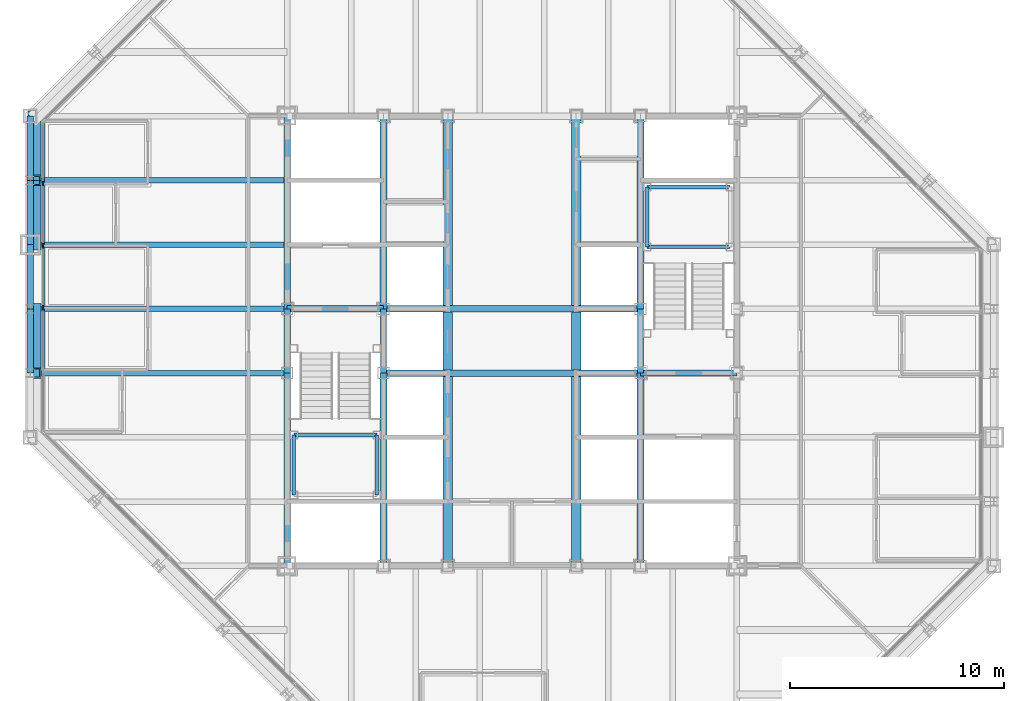
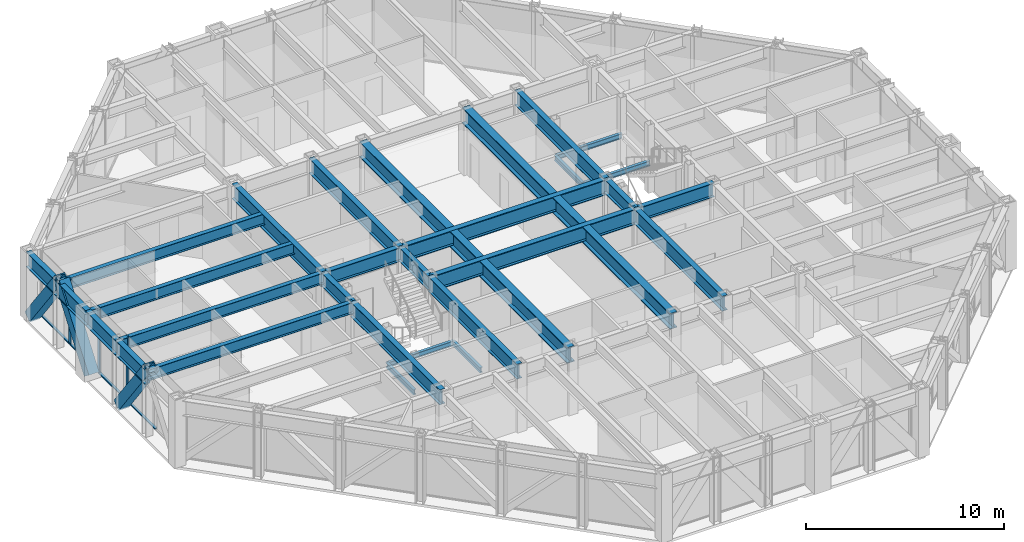
# One storey, part 6 of 16: 33 beams, 10 members, 1 element without a shape of its own.
"""IFC4 building model written with IfcOpenShell, lengths in metres."""

from ifc_helpers import new_model, si_unit, direction, frame, origin, origin_2d, place, context, subcontext, project, spatial, rectangle, hollow_rectangle, i_section, extrude, material, layer, layer_set, material_profile, profile_set, type_object, element, aggregate, save


model = new_model("IFC4")

# Units and contexts
model_context = context("Model", 3, precision=1e-05, world=origin(), true_north=direction((0.0, 1.0)))
body_context = subcontext(model_context, "Body", "Model", "MODEL_VIEW")
ifc_project = project(units=[si_unit("LENGTHUNIT", "METRE"), si_unit("AREAUNIT", "SQUARE_METRE"), si_unit("VOLUMEUNIT", "CUBIC_METRE"), si_unit("PLANEANGLEUNIT", "RADIAN"), si_unit("MASSUNIT", "GRAM", prefix="KILO")], contexts=[model_context])

# Site, building, storey
site_placement = place(None, origin())
site = spatial("IfcSite", under=ifc_project, at=site_placement, CompositionType="ELEMENT")
building_placement = place(site_placement, origin())
building = spatial("IfcBuilding", under=site, at=building_placement, Name="Chuquiago Exchange Tower", CompositionType="ELEMENT")
storey_placement = place(building_placement, frame((0.0, 0.0, 218.10009765625)))
storey = spatial("IfcBuildingStorey", under=building, at=storey_placement, Name="L48", CompositionType="ELEMENT", Elevation=218.10009765625)

# Beams
ifc_material_1 = material(Name="Steel ASTM A992", Category="steel")
ifc_material_profile_1 = material_profile(ifc_material_1, i_section(OverallWidth=0.25390625, OverallDepth=0.683349609375, WebThickness=0.012451171875, FlangeThickness=0.018798828125, at=origin_2d()), Name="W27X94")
ifc_profile_set_1 = profile_set([ifc_material_profile_1], Name="Steel ASTM A992")
beam_type_1 = type_object("IfcBeamType", Name="B1 W27X94", PredefinedType="BEAM", material=ifc_profile_set_1)
for number, where, z_axis, x_axis, name in (
    (1, (12.0, 21.0, 3.6982421875), (-1.0, 0.0, 0.0), (0.0, -1.0, 0.0), "FB-L49-infill-12_21--0_21-0"),
    (2, (12.0, 24.0, 3.6982421875), (-1.0, 0.0, 0.0), (0.0, -1.0, 0.0), "FB-L49-infill-12_24--0_24-0"),
    (3, (12.0, 27.0, 3.6982421875), (-1.0, 0.0, 0.0), (0.0, -1.0, 0.0), "FB-L49-infill-12_27--0_27-0"),
    (4, (12.0, 30.0, 3.6982421875), (-1.0, 0.0, 0.0), (0.0, -1.0, 0.0), "FB-L49-infill-12_30--0_30-0"),
):
    element("IfcBeam", number, at=place(storey_placement, frame(where, z_axis=z_axis, x_axis=x_axis)), inside=storey, type_object=beam_type_1, Name=name, PredefinedType="BEAM", context=body_context, shape_type="SweptSolid", body=[
        extrude(i_section(OverallWidth=0.25390625, OverallDepth=0.683349609375, WebThickness=0.012451171875, FlangeThickness=0.018798828125, at=origin_2d()), origin(), (0.0, 0.0, 1.0), 12.0),
    ])
ifc_material_2 = material(Name="Steel ASTM A992", Category="steel")
ifc_material_profile_2 = material_profile(ifc_material_2, i_section(OverallWidth=0.307373046875, OverallDepth=0.927001953125, WebThickness=0.01953125, FlangeThickness=0.031982421875, at=origin_2d()), Name="W36X194")
ifc_profile_set_2 = profile_set([ifc_material_profile_2], Name="Steel ASTM A992")
beam_type_2 = type_object("IfcBeamType", Name="B10 W36X194", PredefinedType="BEAM", material=ifc_profile_set_2)
for number, where, z_axis, x_axis, name in (
    (5, (12.0, 12.0, 3.576416015625), (0.0, 1.0, 0.0), (-1.0, 0.0, 0.0), "CB-L49-12_12-12_21"),
    (6, (12.0, 24.0, 3.576416015625), (0.0, 1.0, 0.0), (-1.0, 0.0, 0.0), "CB-L49-12_24-12_33"),
    (7, (16.5, 12.0, 3.576416015625), (0.0, 1.0, 0.0), (-1.0, 0.0, 0.0), "CB-L49-16.5_12-16.5_21"),
    (8, (16.5, 24.0, 3.576416015625), (0.0, 1.0, 0.0), (-1.0, 0.0, 0.0), "CB-L49-16.5_24-16.5_33"),
    (9, (28.5, 12.0, 3.576416015625), (0.0, 1.0, 0.0), (-1.0, 0.0, 0.0), "CB-L49-28.5_12-28.5_21"),
    (10, (28.5, 24.0, 3.576416015625), (0.0, 1.0, 0.0), (-1.0, 0.0, 0.0), "CB-L49-28.5_24-28.5_33"),
):
    element("IfcBeam", number, at=place(storey_placement, frame(where, z_axis=z_axis, x_axis=x_axis)), inside=storey, type_object=beam_type_2, Name=name, PredefinedType="BEAM", context=body_context, shape_type="SweptSolid", body=[
        extrude(i_section(OverallWidth=0.307373046875, OverallDepth=0.927001953125, WebThickness=0.01953125, FlangeThickness=0.031982421875, at=origin_2d()), origin(), (0.0, 0.0, 1.0), 9.0),
    ])
ifc_material_3 = material(Name="Steel ASTM A992", Category="steel")
ifc_material_profile_3 = material_profile(ifc_material_3, i_section(OverallWidth=0.309814453125, OverallDepth=0.949951171875, WebThickness=0.0244140625, FlangeThickness=0.0439453125, at=origin_2d()), Name="W36X256")
ifc_profile_set_3 = profile_set([ifc_material_profile_3], Name="Steel ASTM A992")
beam_type_3 = type_object("IfcBeamType", Name="B11 W36X256", PredefinedType="BEAM", material=ifc_profile_set_3)
for number, where, z_axis, x_axis, name in (
    (11, (16.5, 21.0, 3.56494140625), (1.0, 0.0, 0.0), (0.0, 1.0, 0.0), "CB-L49-16.5_21-28.5_21"),
    (12, (16.5, 24.0, 3.56494140625), (1.0, 0.0, 0.0), (0.0, 1.0, 0.0), "CB-L49-16.5_24-28.5_24"),
):
    element("IfcBeam", number, at=place(storey_placement, frame(where, z_axis=z_axis, x_axis=x_axis)), inside=storey, type_object=beam_type_3, Name=name, PredefinedType="BEAM", context=body_context, shape_type="SweptSolid", body=[
        extrude(i_section(OverallWidth=0.309814453125, OverallDepth=0.949951171875, WebThickness=0.0244140625, FlangeThickness=0.0439453125, at=origin_2d()), origin(), (0.0, 0.0, 1.0), 12.0),
    ])
ifc_material_4 = material(Name="Steel ASTM A992", Category="steel")
ifc_material_profile_4 = material_profile(ifc_material_4, i_section(OverallWidth=0.4267578125, OverallDepth=0.975341796875, WebThickness=0.031005859375, FlangeThickness=0.055908203125, at=origin_2d()), Name="W36X395")
ifc_profile_set_4 = profile_set([ifc_material_profile_4], Name="Steel ASTM A992")
beam_type_4 = type_object("IfcBeamType", Name="B12 W36X395", PredefinedType="BEAM", material=ifc_profile_set_4)
beam_1_placement = place(storey_placement, frame((19.5, 12.0, 3.55224609375), z_axis=(0.0, 1.0, 0.0), x_axis=(-1.0, 0.0, 0.0)))
element("IfcBeam", 13, at=beam_1_placement, inside=storey, type_object=beam_type_4, Name="CB-L49-19.5_12-19.5_20.8451", PredefinedType="BEAM", context=body_context, shape_type="SweptSolid", body=[
    extrude(i_section(OverallWidth=0.4267578125, OverallDepth=0.975341796875, WebThickness=0.031005859375, FlangeThickness=0.055908203125, at=origin_2d()), origin(), (0.0, 0.0, 1.0), 8.84521484375),
])
beam_2_placement = place(storey_placement, frame((19.5, 21.15478515625, 3.55224609375), z_axis=(0.0, 1.0, 0.0), x_axis=(-1.0, 0.0, 0.0)))
element("IfcBeam", 14, at=beam_2_placement, inside=storey, type_object=beam_type_4, Name="CB-L49-19.5_21.1549-19.5_23.8451", PredefinedType="BEAM", context=body_context, shape_type="SweptSolid", body=[
    extrude(i_section(OverallWidth=0.4267578125, OverallDepth=0.975341796875, WebThickness=0.031005859375, FlangeThickness=0.055908203125, at=origin_2d()), origin(), (0.0, 0.0, 1.0), 2.6904296875),
])
for number, where, z_axis, x_axis, name in (
    (15, (19.5, 24.15478515625, 3.55224609375), (0.0, 1.0, 0.0), (-1.0, 0.0, 0.0), "CB-L49-19.5_24.1549-19.5_33"),
    (16, (25.5, 12.0, 3.55224609375), (0.0, 1.0, 0.0), (-1.0, 0.0, 0.0), "CB-L49-25.5_12-25.5_20.8451"),
):
    element("IfcBeam", number, at=place(storey_placement, frame(where, z_axis=z_axis, x_axis=x_axis)), inside=storey, type_object=beam_type_4, Name=name, PredefinedType="BEAM", context=body_context, shape_type="SweptSolid", body=[
        extrude(i_section(OverallWidth=0.4267578125, OverallDepth=0.975341796875, WebThickness=0.031005859375, FlangeThickness=0.055908203125, at=origin_2d()), origin(), (0.0, 0.0, 1.0), 8.84521484375),
    ])
beam_3_placement = place(storey_placement, frame((25.5, 21.15478515625, 3.55224609375), z_axis=(0.0, 1.0, 0.0), x_axis=(-1.0, 0.0, 0.0)))
element("IfcBeam", 17, at=beam_3_placement, inside=storey, type_object=beam_type_4, Name="CB-L49-25.5_21.1549-25.5_23.8451", PredefinedType="BEAM", context=body_context, shape_type="SweptSolid", body=[
    extrude(i_section(OverallWidth=0.4267578125, OverallDepth=0.975341796875, WebThickness=0.031005859375, FlangeThickness=0.055908203125, at=origin_2d()), origin(), (0.0, 0.0, 1.0), 2.6904296875),
])
beam_4_placement = place(storey_placement, frame((25.5, 24.15478515625, 3.55224609375), z_axis=(0.0, 1.0, 0.0), x_axis=(-1.0, 0.0, 0.0)))
element("IfcBeam", 18, at=beam_4_placement, inside=storey, type_object=beam_type_4, Name="CB-L49-25.5_24.1549-25.5_33", PredefinedType="BEAM", context=body_context, shape_type="SweptSolid", body=[
    extrude(i_section(OverallWidth=0.4267578125, OverallDepth=0.975341796875, WebThickness=0.031005859375, FlangeThickness=0.055908203125, at=origin_2d()), origin(), (0.0, 0.0, 1.0), 8.84521484375),
])
ifc_material_5 = material(Name="Steel ASTM A992", Category="steel")
ifc_material_profile_5 = material_profile(ifc_material_5, i_section(OverallWidth=0.2919921875, OverallDepth=0.8583984375, WebThickness=0.01708984375, FlangeThickness=0.031005859375, at=origin_2d()), Name="W33X169")
ifc_profile_set_5 = profile_set([ifc_material_profile_5], Name="Steel ASTM A992")
beam_type_5 = type_object("IfcBeamType", Name="B3 W33X169", PredefinedType="BEAM", material=ifc_profile_set_5)
for number, where, z_axis, x_axis, name in (
    (19, (12.0, 21.0, 3.610595703125), (0.0, 1.0, 0.0), (-1.0, 0.0, 0.0), "CB-L49-12_21-12_24"),
    (20, (16.5, 21.0, 3.610595703125), (0.0, 1.0, 0.0), (-1.0, 0.0, 0.0), "CB-L49-16.5_21-16.5_24"),
    (21, (28.5, 21.0, 3.610595703125), (0.0, 1.0, 0.0), (-1.0, 0.0, 0.0), "CB-L49-28.5_21-28.5_24"),
):
    element("IfcBeam", number, at=place(storey_placement, frame(where, z_axis=z_axis, x_axis=x_axis)), inside=storey, type_object=beam_type_5, Name=name, PredefinedType="BEAM", context=body_context, shape_type="SweptSolid", body=[
        extrude(i_section(OverallWidth=0.2919921875, OverallDepth=0.8583984375, WebThickness=0.01708984375, FlangeThickness=0.031005859375, at=origin_2d()), origin(), (0.0, 0.0, 1.0), 3.0),
    ])
for number, where, z_axis, x_axis, name in (
    (22, (28.5, 21.0, 3.610595703125), (1.0, 0.0, 0.0), (0.0, 1.0, 0.0), "CB-L49-28.5_21-33_21"),
    (23, (12.0, 24.0, 3.610595703125), (1.0, 0.0, 0.0), (0.0, 1.0, 0.0), "CB-L49-12_24-16.5_24"),
):
    element("IfcBeam", number, at=place(storey_placement, frame(where, z_axis=z_axis, x_axis=x_axis)), inside=storey, type_object=beam_type_5, Name=name, PredefinedType="BEAM", context=body_context, shape_type="SweptSolid", body=[
        extrude(i_section(OverallWidth=0.2919921875, OverallDepth=0.8583984375, WebThickness=0.01708984375, FlangeThickness=0.031005859375, at=origin_2d()), origin(), (0.0, 0.0, 1.0), 4.5),
    ])

# Curtain wall, members
ifc_material_6 = material(Name="Aluminium curtain wall system", Category="aluminium")
ifc_layer = layer(ifc_material_6, 0.22509765625)
ifc_layer_set = layer_set([ifc_layer], Name="CW2 office curtain wall")
curtain_wall_type = type_object("IfcCurtainWallType", Name="CW2 office curtain wall", PredefinedType="NOTDEFINED", material=ifc_layer_set)
curtain_wall_placement = place(storey_placement, origin())
curtain_wall = element("IfcCurtainWall", 24, at=curtain_wall_placement, inside=storey, type_object=curtain_wall_type, Name="CW2 curtain wall L48", PredefinedType="NOTDEFINED")
ifc_material_7 = material(Name="Aluminium mullion, pale anodised", Category="aluminium")
ifc_material_profile_6 = material_profile(ifc_material_7, rectangle(XDim=0.06494140625, YDim=0.22509765625, at=origin_2d()), Name="AL 65x225")
ifc_profile_set_6 = profile_set([ifc_material_profile_6], Name="Aluminium mullion, pale anodised")
member_type_1 = type_object("IfcMemberType", Name="CW2-M mullion 65x225", PredefinedType="MULLION", material=ifc_profile_set_6)
member_1_placement = place(storey_placement, frame((0.60009765625, 29.850830078125, 0.0), z_axis=(0.0, 0.0, 1.0), x_axis=(1.0, 0.0, 0.0)))
member_1 = element("IfcMember", 25, at=member_1_placement, type_object=member_type_1, Name="CW2 mullion 2", PredefinedType="MULLION", context=body_context, shape_type="SweptSolid", body=[
    extrude(rectangle(XDim=0.06494140625, YDim=0.22509765625, at=origin_2d()), origin(), (0.0, 0.0, 1.0), 4.039794921875),
])
member_2_placement = place(storey_placement, frame((0.60009765625, 26.9501953125, 0.0), z_axis=(0.0, 0.0, 1.0), x_axis=(1.0, 0.0, 0.0)))
member_2 = element("IfcMember", 26, at=member_2_placement, type_object=member_type_1, Name="CW2 mullion 3", PredefinedType="MULLION", context=body_context, shape_type="SweptSolid", body=[
    extrude(rectangle(XDim=0.06494140625, YDim=0.22509765625, at=origin_2d()), origin(), (0.0, 0.0, 1.0), 4.039794921875),
])
member_3_placement = place(storey_placement, frame((0.60009765625, 24.0498046875, 0.0), z_axis=(0.0, 0.0, 1.0), x_axis=(1.0, 0.0, 0.0)))
member_3 = element("IfcMember", 27, at=member_3_placement, type_object=member_type_1, Name="CW2 mullion 4", PredefinedType="MULLION", context=body_context, shape_type="SweptSolid", body=[
    extrude(rectangle(XDim=0.06494140625, YDim=0.22509765625, at=origin_2d()), origin(), (0.0, 0.0, 1.0), 4.039794921875),
])
ifc_material_8 = material(Name="Aluminium transom, pale anodised", Category="aluminium")
ifc_material_profile_7 = material_profile(ifc_material_8, rectangle(XDim=0.139892578125, YDim=0.06494140625, at=origin_2d()), Name="AL 140x65")
ifc_profile_set_7 = profile_set([ifc_material_profile_7], Name="Aluminium transom, pale anodised")
member_type_2 = type_object("IfcMemberType", Name="CW2-T transom 65x140", PredefinedType="MULLION", material=ifc_profile_set_7)
member_4_placement = place(storey_placement, frame((0.60009765625, 32.6865234375, 0.032470703125), z_axis=(0.0, -1.0, 0.0), x_axis=(1.0, 0.0, 0.0)))
member_4 = element("IfcMember", 28, at=member_4_placement, type_object=member_type_2, Name="CW2 transom 1.1", PredefinedType="MULLION", context=body_context, shape_type="SweptSolid", body=[
    extrude(rectangle(XDim=0.139892578125, YDim=0.06494140625, at=origin_2d()), origin(), (0.0, 0.0, 1.0), 2.80322265625),
])
member_5_placement = place(storey_placement, frame((0.60009765625, 29.818359375, 0.032470703125), z_axis=(0.0, -1.0, 0.0), x_axis=(1.0, 0.0, 0.0)))
member_5 = element("IfcMember", 29, at=member_5_placement, type_object=member_type_2, Name="CW2 transom 2.1", PredefinedType="MULLION", context=body_context, shape_type="SweptSolid", body=[
    extrude(rectangle(XDim=0.139892578125, YDim=0.06494140625, at=origin_2d()), origin(), (0.0, 0.0, 1.0), 2.83544921875),
])
member_6_placement = place(storey_placement, frame((0.60009765625, 26.917724609375, 0.032470703125), z_axis=(0.0, -1.0, 0.0), x_axis=(1.0, 0.0, 0.0)))
member_6 = element("IfcMember", 30, at=member_6_placement, type_object=member_type_2, Name="CW2 transom 3.1", PredefinedType="MULLION", context=body_context, shape_type="SweptSolid", body=[
    extrude(rectangle(XDim=0.139892578125, YDim=0.06494140625, at=origin_2d()), origin(), (0.0, 0.0, 1.0), 2.83544921875),
])
member_7_placement = place(storey_placement, frame((0.60009765625, 24.01708984375, 0.032470703125), z_axis=(0.0, -1.0, 0.0), x_axis=(1.0, 0.0, 0.0)))
member_7 = element("IfcMember", 31, at=member_7_placement, type_object=member_type_2, Name="CW2 transom 4.1", PredefinedType="MULLION", context=body_context, shape_type="SweptSolid", body=[
    extrude(rectangle(XDim=0.139892578125, YDim=0.06494140625, at=origin_2d()), origin(), (0.0, 0.0, 1.0), 2.83544921875),
])
aggregate(curtain_wall, [member_1, member_2, member_3, member_4, member_5, member_6, member_7])

# Beams
ifc_material_9 = material(Name="Steel ASTM A992", Category="steel")
ifc_material_profile_8 = material_profile(ifc_material_9, i_section(OverallWidth=0.164794921875, OverallDepth=0.309814453125, WebThickness=0.005859375, FlangeThickness=0.009765625, at=origin_2d()), Name="W12X26")
ifc_profile_set_8 = profile_set([ifc_material_profile_8], Name="Steel ASTM A992")
beam_type_6 = type_object("IfcBeamType", Name="LS1 W12X26", PredefinedType="BEAM", material=ifc_profile_set_8)
for number, where, z_axis, x_axis, name in (
    (32, (12.31005859375, 15.31005859375, 1.7451171875), (0.0, 1.0, 0.0), (-1.0, 0.0, 0.0), "Stair ST1 L48 landing 1 stringer"),
    (33, (16.18994140625, 15.31005859375, 1.7451171875), (0.0, 1.0, 0.0), (-1.0, 0.0, 0.0), "Stair ST1 L48 landing 1 stringer"),
    (34, (28.81005859375, 26.889892578125, 1.7451171875), (0.0, 1.0, 0.0), (-1.0, 0.0, 0.0), "Stair ST2 L48 landing 1 stringer"),
):
    element("IfcBeam", number, at=place(storey_placement, frame(where, z_axis=z_axis, x_axis=x_axis)), inside=storey, type_object=beam_type_6, Name=name, PredefinedType="BEAM", context=body_context, shape_type="SweptSolid", body=[
        extrude(i_section(OverallWidth=0.164794921875, OverallDepth=0.309814453125, WebThickness=0.005859375, FlangeThickness=0.009765625, at=origin_2d()), origin(), (0.0, 0.0, 1.0), 2.800048828125),
    ])
ifc_material_10 = material(Name="Steel ASTM A992", Category="steel")
ifc_material_profile_9 = material_profile(ifc_material_10, i_section(OverallWidth=0.164794921875, OverallDepth=0.309814453125, WebThickness=0.005859375, FlangeThickness=0.009765625, at=origin_2d()), Name="W12X26")
ifc_profile_set_9 = profile_set([ifc_material_profile_9], Name="Steel ASTM A992")
beam_type_7 = type_object("IfcBeamType", Name="LT1 W12X26", PredefinedType="BEAM", material=ifc_profile_set_9)
for number, where, z_axis, x_axis, name in (
    (35, (12.31005859375, 18.110107421875, 1.7451171875), (1.0, 0.0, 0.0), (0.0, 1.0, 0.0), "Stair ST1 L48 landing 1 trimmer"),
    (36, (28.81005859375, 29.68994140625, 1.7451171875), (1.0, 0.0, 0.0), (0.0, 1.0, 0.0), "Stair ST2 L48 landing 1 trimmer"),
    (37, (28.81005859375, 26.889892578125, 1.7451171875), (1.0, 0.0, 0.0), (0.0, 1.0, 0.0), "Stair ST2 L48 landing 1 trimmer"),
):
    element("IfcBeam", number, at=place(storey_placement, frame(where, z_axis=z_axis, x_axis=x_axis)), inside=storey, type_object=beam_type_7, Name=name, PredefinedType="BEAM", context=body_context, shape_type="SweptSolid", body=[
        extrude(i_section(OverallWidth=0.164794921875, OverallDepth=0.309814453125, WebThickness=0.005859375, FlangeThickness=0.009765625, at=origin_2d()), origin(), (0.0, 0.0, 1.0), 3.8798828125),
    ])

# Members
ifc_material_11 = material(Name="Steel ASTM A572 Grade 50", Category="steel")
ifc_material_profile_10 = material_profile(ifc_material_11, hollow_rectangle(XDim=0.60009765625, YDim=0.60009765625, WallThickness=0.06005859375, at=origin_2d()), Name="BOX600X600X60")
ifc_profile_set_10 = profile_set([ifc_material_profile_10], Name="Steel ASTM A572 Grade 50")
member_type_3 = type_object("IfcMemberType", Name="MB3 BOX600X600X60", PredefinedType="BRACE", material=ifc_profile_set_10)
for number, where, z_axis, x_axis, name in (
    (38, (0.205078125, 33.0, 0.0), (0.0, -0.596197146086, 0.802838067732), (1.0, 0.0, 0.0), "Mega diagonal L48 W face"),
    (39, (0.205078125, 27.0, 0.0), (0.0, 0.596197146086, 0.802838067732), (-1.0, 0.0, 0.0), "Mega diagonal L48 W face"),
    (40, (0.205078125, 24.0, 0.0), (0.0, -0.596197146086, 0.802838067732), (1.0, 0.0, 0.0), "Mega diagonal L48 W face"),
):
    element("IfcMember", number, at=place(storey_placement, frame(where, z_axis=z_axis, x_axis=x_axis)), inside=storey, type_object=member_type_3, Name=name, PredefinedType="BRACE", context=body_context, shape_type="SweptSolid", body=[
        extrude(hollow_rectangle(XDim=0.60009765625, YDim=0.60009765625, WallThickness=0.06005859375, at=origin_2d()), origin(), (0.0, 0.0, 1.0), 5.031982421875),
    ])

# Beams
ifc_material_12 = material(Name="Steel ASTM A992", Category="steel")
ifc_material_profile_11 = material_profile(ifc_material_12, i_section(OverallWidth=0.307373046875, OverallDepth=0.927001953125, WebThickness=0.01953125, FlangeThickness=0.031982421875, at=origin_2d()), Name="W36X194")
ifc_profile_set_11 = profile_set([ifc_material_profile_11], Name="Steel ASTM A992")
beam_type_8 = type_object("IfcBeamType", Name="SP3 W36X194", PredefinedType="SPANDREL", material=ifc_profile_set_11)
for number, where, z_axis, x_axis, name in (
    (41, (0.0, 33.0, 3.576416015625), (0.0, -1.0, 0.0), (1.0, 0.0, 0.0), "SPB-L49-0_33-0_30"),
    (42, (0.0, 30.0, 3.576416015625), (0.0, -1.0, 0.0), (1.0, 0.0, 0.0), "SPB-L49-0_30-0_27"),
    (43, (0.0, 27.0, 3.576416015625), (0.0, -1.0, 0.0), (1.0, 0.0, 0.0), "SPB-L49-0_27-0_24"),
    (44, (0.0, 24.0, 3.576416015625), (0.0, -1.0, 0.0), (1.0, 0.0, 0.0), "SPB-L49-0_24-0_21"),
):
    element("IfcBeam", number, at=place(storey_placement, frame(where, z_axis=z_axis, x_axis=x_axis)), inside=storey, type_object=beam_type_8, Name=name, PredefinedType="SPANDREL", context=body_context, shape_type="SweptSolid", body=[
        extrude(i_section(OverallWidth=0.307373046875, OverallDepth=0.927001953125, WebThickness=0.01953125, FlangeThickness=0.031982421875, at=origin_2d()), origin(), (0.0, 0.0, 1.0), 3.0),
    ])

save(model, "model.ifc")
